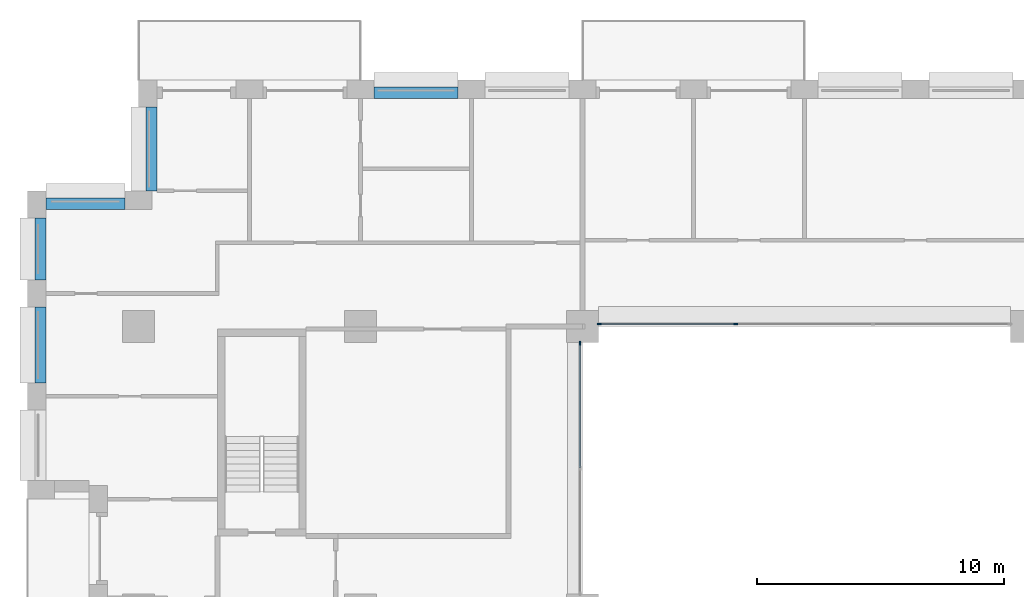
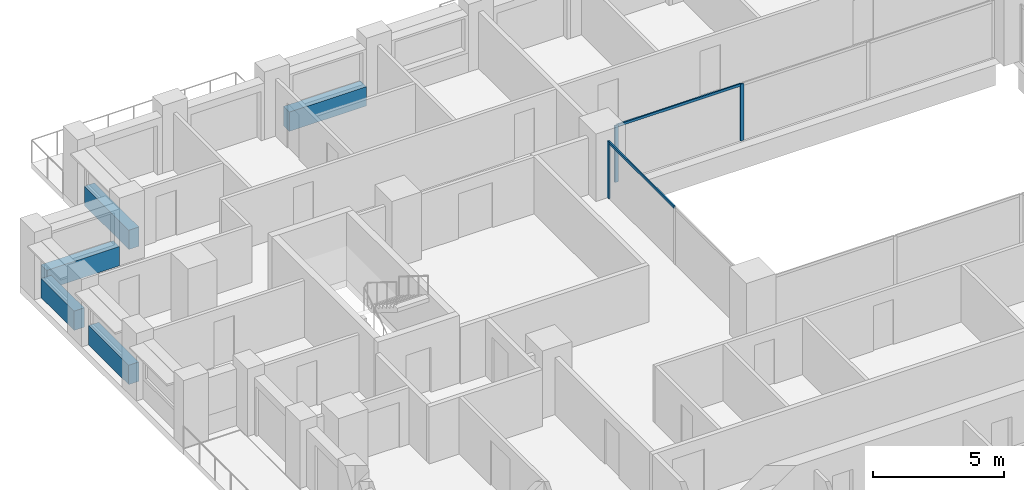
# One storey, part 5 of 17: 5 beams, 5 members, 2 elements without a shape of their own.
"""IFC4 building model written with IfcOpenShell, lengths in metres."""

from ifc_helpers import new_model, si_unit, direction, frame, origin, origin_2d, place, context, subcontext, project, spatial, rectangle, extrude, material, layer, layer_set, material_profile, profile_set, type_object, element, aggregate, save


model = new_model("IFC4")

# Units and contexts
model_context = context("Model", 3, precision=1e-05, world=origin(), true_north=direction((0.0, 1.0)))
body_context = subcontext(model_context, "Body", "Model", "MODEL_VIEW")
ifc_project = project(units=[si_unit("LENGTHUNIT", "METRE"), si_unit("AREAUNIT", "SQUARE_METRE"), si_unit("VOLUMEUNIT", "CUBIC_METRE"), si_unit("PLANEANGLEUNIT", "RADIAN"), si_unit("MASSUNIT", "GRAM", prefix="KILO")], contexts=[model_context])

# Site, building, storey
site_placement = place(None, origin())
site = spatial("IfcSite", under=ifc_project, at=site_placement, CompositionType="ELEMENT")
building_placement = place(site_placement, origin())
building = spatial("IfcBuilding", under=site, at=building_placement, Name="Brigalow Station Residences", CompositionType="ELEMENT")
storey_placement = place(building_placement, frame((0.0, 0.0, 127.64990234375)))
storey = spatial("IfcBuildingStorey", under=building, at=storey_placement, Name="L37", CompositionType="ELEMENT", Elevation=127.64990234375)

# Curtain wall, members
ifc_material_1 = material(Name="Aluminium", Category="aluminium")
ifc_layer = layer(ifc_material_1, 0.14990234375)
ifc_layer_set = layer_set([ifc_layer], Name="ATRIUM FIRE-RATED GLAZING CURTAIN WALL")
curtain_wall_type = type_object("IfcCurtainWallType", Name="ATRIUM FIRE-RATED GLAZING CURTAIN WALL", PredefinedType="NOTDEFINED", material=ifc_layer_set)
curtain_wall_1_placement = place(storey_placement, origin())
curtain_wall_1 = element("IfcCurtainWall", 1, at=curtain_wall_1_placement, inside=storey, type_object=curtain_wall_type, Name="L37/cw/atrium-N", PredefinedType="NOTDEFINED")
ifc_material_2 = material(Name="Aluminium", Category="aluminium")
ifc_material_profile_1 = material_profile(ifc_material_2, rectangle(XDim=0.06005859375, YDim=0.14990234375, at=origin_2d()), Name="ATRIUM FIRE-RATED GLAZING MULLION 60x150")
ifc_profile_set_1 = profile_set([ifc_material_profile_1], Name="Aluminium")
member_type_1 = type_object("IfcMemberType", Name="ATRIUM FIRE-RATED GLAZING MULLION 60x150", PredefinedType="MULLION", material=ifc_profile_set_1)
member_1_placement = place(storey_placement, frame((33.216796875, 35.60009765625, 0.0), z_axis=(0.0, 0.0, 1.0), x_axis=(0.0, -1.0, 0.0)))
member_1 = element("IfcMember", 2, at=member_1_placement, type_object=member_type_1, Name="L37/cw/atrium-N/M02", PredefinedType="MULLION", context=body_context, shape_type="SweptSolid", body=[
    extrude(rectangle(XDim=0.06005859375, YDim=0.14990234375, at=origin_2d()), origin(), (0.0, 0.0, 1.0), 2.650146484375),
])
member_2_placement = place(storey_placement, frame((27.679931640625, 35.60009765625, 0.0), z_axis=(0.0, 0.0, 1.0), x_axis=(0.0, -1.0, 0.0)))
member_2 = element("IfcMember", 3, at=member_2_placement, type_object=member_type_1, Name="L37/cw/atrium-N/M03", PredefinedType="MULLION", context=body_context, shape_type="SweptSolid", body=[
    extrude(rectangle(XDim=0.06005859375, YDim=0.14990234375, at=origin_2d()), origin(), (0.0, 0.0, 1.0), 2.650146484375),
])

# Curtain wall, member
curtain_wall_2_placement = place(storey_placement, origin())
curtain_wall_2 = element("IfcCurtainWall", 4, at=curtain_wall_2_placement, inside=storey, type_object=curtain_wall_type, Name="L37/cw/atrium-W", PredefinedType="NOTDEFINED")
member_3_placement = place(storey_placement, frame((26.89990234375, 34.820068359375, 0.0), z_axis=(0.0, 0.0, 1.0), x_axis=(1.0, 0.0, 0.0)))
member_3 = element("IfcMember", 5, at=member_3_placement, type_object=member_type_1, Name="L37/cw/atrium-W/M00", PredefinedType="MULLION", context=body_context, shape_type="SweptSolid", body=[
    extrude(rectangle(XDim=0.06005859375, YDim=0.14990234375, at=origin_2d()), origin(), (0.0, 0.0, 1.0), 2.650146484375),
])

# Member
ifc_material_3 = material(Name="Aluminium", Category="aluminium")
ifc_material_profile_2 = material_profile(ifc_material_3, rectangle(XDim=0.06005859375, YDim=0.1201171875, at=origin_2d()), Name="ATRIUM FIRE-RATED GLAZING TRANSOM 60x120")
ifc_profile_set_2 = profile_set([ifc_material_profile_2], Name="Aluminium")
member_type_2 = type_object("IfcMemberType", Name="ATRIUM FIRE-RATED GLAZING TRANSOM 60x120", PredefinedType="USERDEFINED", material=ifc_profile_set_2)
member_4_placement = place(storey_placement, frame((33.186767578125, 35.60009765625, 2.6201171875), z_axis=(-1.0, 0.0, 0.0), x_axis=(0.0, -1.0, 0.0)))
member_4 = element("IfcMember", 6, at=member_4_placement, type_object=member_type_2, Name="L37/cw/atrium-N/T02-00", ObjectType="TRANSOM", PredefinedType="USERDEFINED", context=body_context, shape_type="SweptSolid", body=[
    extrude(rectangle(XDim=0.06005859375, YDim=0.1201171875, at=origin_2d()), origin(), (0.0, 0.0, 1.0), 5.476806640625),
])

aggregate(curtain_wall_1, [member_1, member_2, member_4])

member_5_placement = place(storey_placement, frame((26.89990234375, 34.7900390625, 2.6201171875), z_axis=(0.0, -1.0, 0.0), x_axis=(1.0, 0.0, 0.0)))
member_5 = element("IfcMember", 7, at=member_5_placement, type_object=member_type_2, Name="L37/cw/atrium-W/T00-00", ObjectType="TRANSOM", PredefinedType="USERDEFINED", context=body_context, shape_type="SweptSolid", body=[
    extrude(rectangle(XDim=0.06005859375, YDim=0.1201171875, at=origin_2d()), origin(), (0.0, 0.0, 1.0), 5.010009765625),
])

aggregate(curtain_wall_2, [member_3, member_5])

# Beams
ifc_material_4 = material(Name="Concrete C65", Category="concrete")
ifc_material_profile_3 = material_profile(ifc_material_4, rectangle(XDim=0.449951171875, YDim=0.89990234375, at=origin_2d()), Name="RC450x900")
ifc_profile_set_3 = profile_set([ifc_material_profile_3], Name="Concrete C65")
beam_type = type_object("IfcBeamType", Name="SPANDREL BEAM 450x900 C65", PredefinedType="SPANDREL", material=ifc_profile_set_3)
for number, where, z_axis, x_axis, name in (
    (8, (21.949951171875, 44.97509765625, 0.4501953125), (-1.0, 0.0, 0.0), (0.0, -1.0, 0.0), "L37/spandrel/W-L37-34"),
    (9, (9.52490234375, 44.39990234375, 0.4501953125), (0.0, -1.0, 0.0), (1.0, 0.0, 0.0), "L37/spandrel/W-L37-37"),
):
    element("IfcBeam", number, at=place(storey_placement, frame(where, z_axis=z_axis, x_axis=x_axis)), inside=storey, type_object=beam_type, Name=name, PredefinedType="SPANDREL", context=body_context, shape_type="SweptSolid", body=[
        extrude(rectangle(XDim=0.449951171875, YDim=0.89990234375, at=origin_2d()), origin(), (0.0, 0.0, 1.0), 3.39990234375),
    ])
beam_1_placement = place(storey_placement, frame((8.449951171875, 40.47509765625, 0.4501953125), z_axis=(-1.0, 0.0, 0.0), x_axis=(0.0, -1.0, 0.0)))
element("IfcBeam", 10, at=beam_1_placement, inside=storey, type_object=beam_type, Name="L37/spandrel/W-L37-38", PredefinedType="SPANDREL", context=body_context, shape_type="SweptSolid", body=[
    extrude(rectangle(XDim=0.449951171875, YDim=0.89990234375, at=origin_2d()), origin(), (0.0, 0.0, 1.0), 3.199951171875),
])
beam_2_placement = place(storey_placement, frame((5.02490234375, 39.89990234375, 0.4501953125), z_axis=(0.0, -1.0, 0.0), x_axis=(1.0, 0.0, 0.0)))
element("IfcBeam", 11, at=beam_2_placement, inside=storey, type_object=beam_type, Name="L37/spandrel/W-L37-39", PredefinedType="SPANDREL", context=body_context, shape_type="SweptSolid", body=[
    extrude(rectangle(XDim=0.449951171875, YDim=0.89990234375, at=origin_2d()), origin(), (0.0, 0.0, 1.0), 2.516845703125),
])
beam_3_placement = place(storey_placement, frame((5.02490234375, 36.282958984375, 0.4501953125), z_axis=(0.0, -1.0, 0.0), x_axis=(1.0, 0.0, 0.0)))
element("IfcBeam", 12, at=beam_3_placement, inside=storey, type_object=beam_type, Name="L37/spandrel/W-L37-40", PredefinedType="SPANDREL", context=body_context, shape_type="SweptSolid", body=[
    extrude(rectangle(XDim=0.449951171875, YDim=0.89990234375, at=origin_2d()), origin(), (0.0, 0.0, 1.0), 3.06591796875),
])

save(model, "model.ifc")
